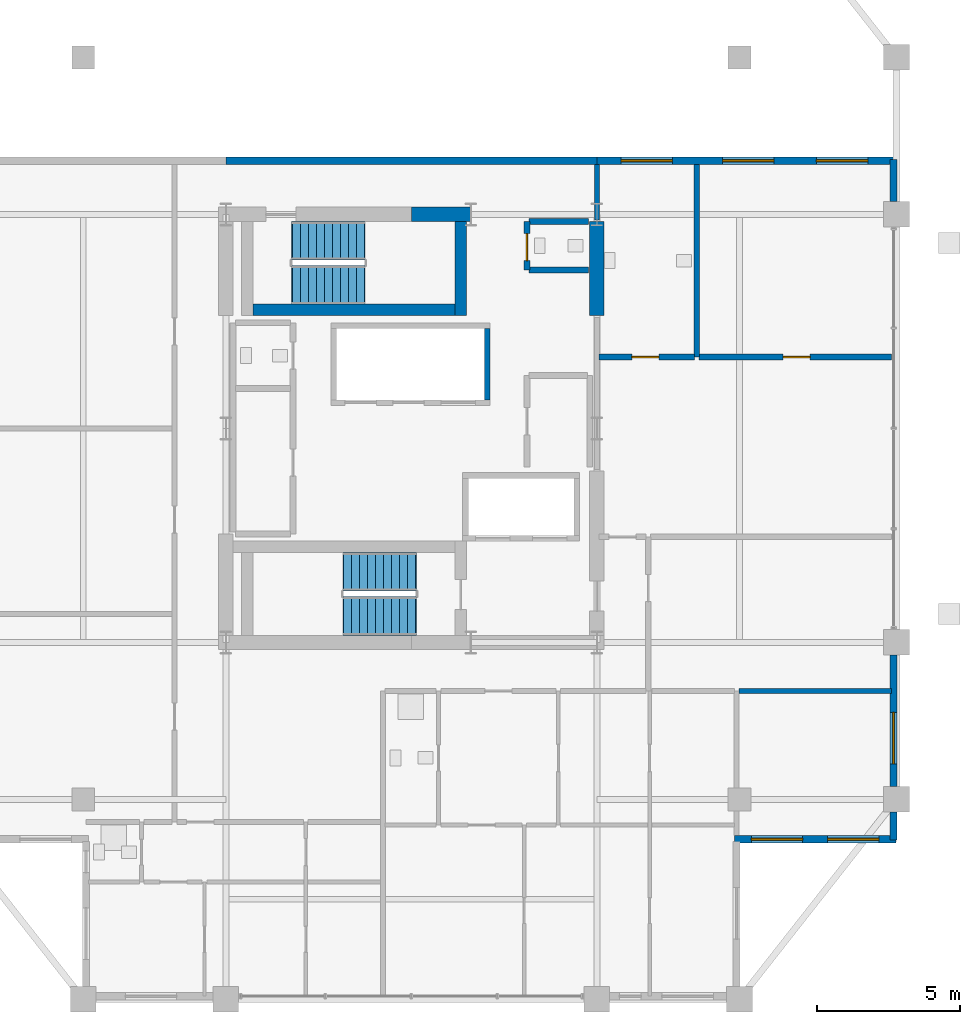
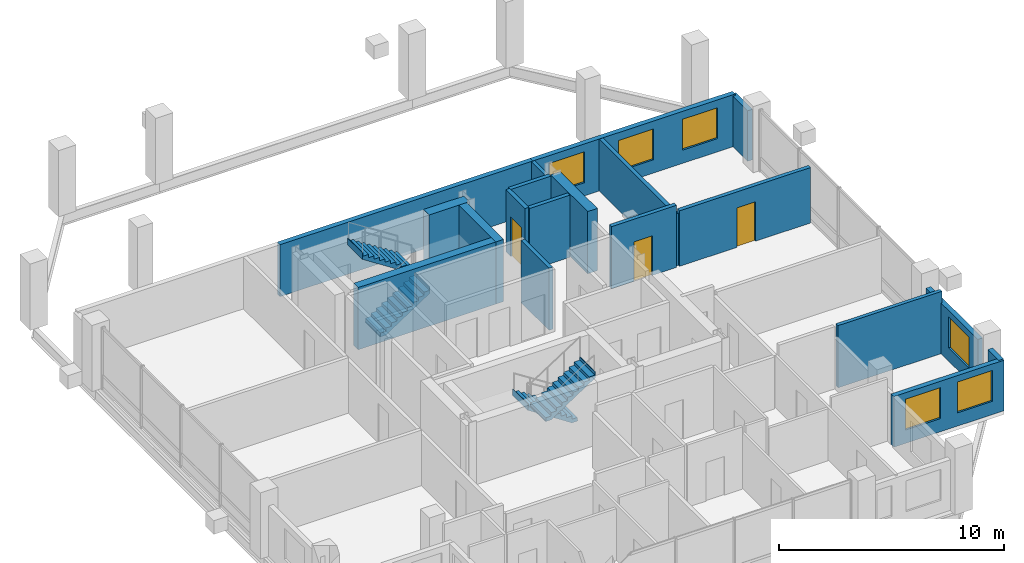
# One storey, part 14 of 16: 19 walls, 6 windows, 4 stair flights, 3 doors, 9 openings, 2 elements without a shape of their own.
"""IFC4 building model written with IfcOpenShell, lengths in metres."""

from ifc_helpers import new_model, si_unit, direction, frame, frame_2d, origin, place, context, subcontext, project, spatial, polyline, rectangle, outline, extrude, material, layer, layer_set, type_object, element, fill, aggregate, save


model = new_model("IFC4")

# Units and contexts
model_context = context("Model", 3, precision=1e-05, world=origin(), true_north=direction((0.0, 1.0)))
body_context = subcontext(model_context, "Body", "Model", "MODEL_VIEW")
ifc_project = project(units=[si_unit("LENGTHUNIT", "METRE"), si_unit("AREAUNIT", "SQUARE_METRE"), si_unit("VOLUMEUNIT", "CUBIC_METRE"), si_unit("PLANEANGLEUNIT", "RADIAN"), si_unit("MASSUNIT", "GRAM", prefix="KILO")], contexts=[model_context])

# Site, building, storey
site_placement = place(None, origin())
site = spatial("IfcSite", under=ifc_project, at=site_placement, CompositionType="ELEMENT")
building_placement = place(site_placement, origin())
building = spatial("IfcBuilding", under=site, at=building_placement, Name="Barlavira Tower and Art Museum", CompositionType="ELEMENT")
storey_placement = place(building_placement, frame((0.0, 0.0, 265.5)))
storey = spatial("IfcBuildingStorey", under=building, at=storey_placement, Name="L69", CompositionType="ELEMENT", Elevation=265.5)

# Walls
ifc_material_1 = material(Name="Concrete C60", Category="concrete")
ifc_layer_1 = layer(ifc_material_1, 0.5, Name="Concrete C60")
ifc_layer_set_1 = layer_set([ifc_layer_1], Name="Concrete C60")
wall_type_1 = type_object("IfcWallType", Name="Core Structural Shear Wall 500 Concrete C60", PredefinedType="SHEAR", material=ifc_layer_set_1)
wall_1_placement = place(storey_placement, frame((0.0, 7.5, 0.0), z_axis=(0.0, 0.0, 1.0), x_axis=(1.0, 0.0, 0.0)))
element("IfcWall", 1, at=wall_1_placement, inside=storey, type_object=wall_type_1, Name="L69 Core Shear Wall CS-EN", PredefinedType="SHEAR", context=body_context, shape_type="SweptSolid", body=[
    extrude(rectangle(XDim=2.080078125, YDim=0.5, at=frame_2d((1.0400390625, 0.0))), origin(), (0.0, 0.0, 1.0), 3.3798828125),
])
wall_2_placement = place(storey_placement, frame((6.5, 3.949951171875, 0.0), z_axis=(0.0, 0.0, 1.0), x_axis=(0.0, 1.0, 0.0)))
element("IfcWall", 2, at=wall_2_placement, inside=storey, type_object=wall_type_1, Name="L69 Core Shear Wall CS-E2", PredefinedType="SHEAR", context=body_context, shape_type="SweptSolid", body=[
    extrude(rectangle(XDim=3.300048828125, YDim=0.5, at=frame_2d((1.64990234375, 0.0))), origin(), (0.0, 0.0, 1.0), 3.3798828125),
])
ifc_material_2 = material(Name="Autoclaved aerated concrete masonry", Category="masonry")
ifc_layer_2 = layer(ifc_material_2, 0.199951171875, Name="Autoclaved aerated concrete masonry")
ifc_layer_set_2 = layer_set([ifc_layer_2], Name="Autoclaved aerated concrete masonry")
wall_type_2 = type_object("IfcWallType", Name="Fire Compartment and Shaft Wall 200", PredefinedType="SOLIDWALL", material=ifc_layer_set_2)
wall_3_placement = place(storey_placement, frame((2.659912109375, 1.0, 0.0), z_axis=(0.0, 0.0, 1.0), x_axis=(0.0, 1.0, 0.0)))
element("IfcWall", 3, at=wall_3_placement, inside=storey, type_object=wall_type_2, Name="L69 High-Rise & Service Lift East Wall", PredefinedType="SOLIDWALL", context=body_context, shape_type="SweptSolid", body=[
    extrude(rectangle(XDim=2.5, YDim=0.199951171875, at=frame_2d((1.25, 0.0))), origin(), (0.0, 0.0, 1.0), 3.3798828125),
])

# Wall, opening, door
wall_4_placement = place(storey_placement, frame((4.050048828125, 5.550048828125, 0.0), z_axis=(0.0, 0.0, 1.0), x_axis=(0.0, 1.0, 0.0)))
wall_4 = element("IfcWall", 4, at=wall_4_placement, inside=storey, type_object=wall_type_2, Name="L69 Partition Wall 11", PredefinedType="SOLIDWALL", context=body_context, shape_type="SweptSolid", body=[
    extrude(rectangle(XDim=1.699951171875, YDim=0.199951171875, at=frame_2d((0.85009765625, 0.0))), origin(), (0.0, 0.0, 1.0), 3.3798828125),
])
opening_1_placement = place(wall_4_placement, frame((0.324951171875, 0.0, 0.0)))
opening_1 = element("IfcOpeningElement", 5, at=opening_1_placement, cuts=wall_4, Name="Opening FD-60", PredefinedType="OPENING", context=body_context, shape_type="SweptSolid", body=[
    extrude(rectangle(XDim=0.949951171875, YDim=2.14990234375, at=frame_2d((0.47509765625, 1.074951171875))), frame((0.0, 0.10986328125, 0.0), z_axis=(0.0, -1.0, 0.0), x_axis=(1.0, 0.0, 0.0)), (0.0, 0.0, 1.0), 0.219970703125),
])
ifc_material_3 = material(Name="Brushed stainless steel", Category="steel")
door_type = type_object("IfcDoorType", Name="Apartment Entrance and Riser Fire Door 950x2150 FD60S", OperationType="NOTDEFINED", PredefinedType="DOOR", material=ifc_material_3)
door_1_placement = place(opening_1_placement, origin())
door_1 = element("IfcDoor", 6, at=door_1_placement, inside=storey, type_object=door_type, Name="Core Accessible Washroom Door", OperationType="SINGLE_SWING_LEFT", OverallHeight=2.14990234375, OverallWidth=0.949951171875, PredefinedType="DOOR", context=body_context, shape_type="SweptSolid", body=[
    extrude(rectangle(XDim=0.949951171875, YDim=2.14990234375, at=frame_2d((0.47509765625, 1.074951171875))), frame((0.0, 0.02490234375, 0.0), z_axis=(0.0, -1.0, 0.0), x_axis=(1.0, 0.0, 0.0)), (0.0, 0.0, 1.0), 0.050048828125),
])
fill(opening_1, door_1)

# Wall
wall_5_placement = place(storey_placement, frame((10.0, 2.5, 0.0), z_axis=(0.0, 0.0, 1.0), x_axis=(0.0, 1.0, 0.0)))
element("IfcWall", 7, at=wall_5_placement, inside=storey, type_object=wall_type_2, Name="L69 Partition Wall 18", PredefinedType="SOLIDWALL", context=body_context, shape_type="SweptSolid", body=[
    extrude(rectangle(XDim=6.75, YDim=0.199951171875, at=frame_2d((3.375, 0.0))), origin(), (0.0, 0.0, 1.0), 2.825927734375),
])

# Wall, opening, door
wall_6_placement = place(storey_placement, frame((6.580078125, 2.5, 0.0), z_axis=(0.0, 0.0, 1.0), x_axis=(1.0, 0.0, 0.0)))
wall_6 = element("IfcWall", 8, at=wall_6_placement, inside=storey, type_object=wall_type_2, Name="L69 Partition Wall 45", PredefinedType="SOLIDWALL", context=body_context, shape_type="SweptSolid", body=[
    extrude(rectangle(XDim=3.33984375, YDim=0.199951171875, at=frame_2d((1.669921875, 0.0))), origin(), (0.0, 0.0, 1.0), 3.3798828125),
])
opening_2_placement = place(wall_6_placement, frame((1.14501953125, 0.0, 0.0)))
opening_2 = element("IfcOpeningElement", 9, at=opening_2_placement, cuts=wall_6, Name="Opening FD-60", PredefinedType="OPENING", context=body_context, shape_type="SweptSolid", body=[
    extrude(rectangle(XDim=0.949951171875, YDim=2.14990234375, at=frame_2d((0.47509765625, 1.074951171875))), frame((0.0, 0.10986328125, 0.0), z_axis=(0.0, -1.0, 0.0), x_axis=(1.0, 0.0, 0.0)), (0.0, 0.0, 1.0), 0.219970703125),
])
door_2_placement = place(opening_2_placement, origin())
door_2 = element("IfcDoor", 10, at=door_2_placement, inside=storey, type_object=door_type, Name="Wind-Portal Accessible Guest WC Door", OperationType="SINGLE_SWING_RIGHT", OverallHeight=2.14990234375, OverallWidth=0.949951171875, PredefinedType="DOOR", context=body_context, shape_type="SweptSolid", body=[
    extrude(rectangle(XDim=0.949951171875, YDim=2.14990234375, at=frame_2d((0.47509765625, 1.074951171875))), frame((0.0, 0.02490234375, 0.0), z_axis=(0.0, -1.0, 0.0), x_axis=(1.0, 0.0, 0.0)), (0.0, 0.0, 1.0), 0.050048828125),
])
fill(opening_2, door_2)

wall_7_placement = place(storey_placement, frame((10.080078125, 2.5, 0.0), z_axis=(0.0, 0.0, 1.0), x_axis=(1.0, 0.0, 0.0)))
wall_7 = element("IfcWall", 11, at=wall_7_placement, inside=storey, type_object=wall_type_2, Name="L69 Partition Wall 46", PredefinedType="SOLIDWALL", context=body_context, shape_type="SweptSolid", body=[
    extrude(rectangle(XDim=6.739990234375, YDim=0.199951171875, at=frame_2d((3.3701171875, 0.0))), origin(), (0.0, 0.0, 1.0), 3.01806640625),
])
opening_3_placement = place(wall_7_placement, frame((2.945068359375, 0.0, 0.0)))
opening_3 = element("IfcOpeningElement", 12, at=opening_3_placement, cuts=wall_7, Name="Opening FD-60", PredefinedType="OPENING", context=body_context, shape_type="SweptSolid", body=[
    extrude(rectangle(XDim=0.949951171875, YDim=2.14990234375, at=frame_2d((0.47509765625, 1.074951171875))), frame((0.0, 0.10986328125, 0.0), z_axis=(0.0, -1.0, 0.0), x_axis=(1.0, 0.0, 0.0)), (0.0, 0.0, 1.0), 0.219970703125),
])
door_3_placement = place(opening_3_placement, origin())
door_3 = element("IfcDoor", 13, at=door_3_placement, inside=storey, type_object=door_type, Name="Wind-Portal Terrace Furniture Store Door", OperationType="SINGLE_SWING_LEFT", OverallHeight=2.14990234375, OverallWidth=0.949951171875, PredefinedType="DOOR", context=body_context, shape_type="SweptSolid", body=[
    extrude(rectangle(XDim=0.949951171875, YDim=2.14990234375, at=frame_2d((0.47509765625, 1.074951171875))), frame((0.0, 0.02490234375, 0.0), z_axis=(0.0, -1.0, 0.0), x_axis=(1.0, 0.0, 0.0)), (0.0, 0.0, 1.0), 0.050048828125),
])
fill(opening_3, door_3)

# Walls
for number, where, z_axis, x_axis, name in (
    (14, (4.1298828125, 5.550048828125, 0.0), (0.0, 0.0, 1.0), (1.0, 0.0, 0.0), "L69 Partition Wall 48"),
    (15, (4.1298828125, 7.25, 0.0), (0.0, 0.0, 1.0), (1.0, 0.0, 0.0), "L69 Partition Wall 49"),
):
    element("IfcWall", number, at=place(storey_placement, frame(where, z_axis=z_axis, x_axis=x_axis)), inside=storey, type_object=wall_type_2, Name=name, PredefinedType="SOLIDWALL", context=body_context, shape_type="SweptSolid", body=[
        extrude(rectangle(XDim=2.070068359375, YDim=0.199951171875, at=frame_2d((1.03515625, 0.0))), origin(), (0.0, 0.0, 1.0), 3.3798828125),
    ])
ifc_material_4 = material(Name="Gypsum acoustic stud partition", Category="gypsum")
ifc_layer_3 = layer(ifc_material_4, 0.179931640625, Name="Gypsum acoustic stud partition")
ifc_layer_set_3 = layer_set([ifc_layer_3], Name="Gypsum acoustic stud partition")
wall_type_3 = type_object("IfcWallType", Name="Inter-Tenancy Party Partition Wall 180", PredefinedType="PARTITIONING", material=ifc_layer_set_3)
wall_8_placement = place(storey_placement, frame((6.5, 7.31005859375, 0.0), z_axis=(0.0, 0.0, 1.0), x_axis=(0.0, 1.0, 0.0)))
element("IfcWall", 16, at=wall_8_placement, inside=storey, type_object=wall_type_3, Name="L69 Partition Wall 15", PredefinedType="PARTITIONING", context=body_context, shape_type="SweptSolid", body=[
    extrude(rectangle(XDim=1.93994140625, YDim=0.179931640625, at=frame_2d((0.969970703125, 0.0))), origin(), (0.0, 0.0, 1.0), 2.825927734375),
])
wall_9_placement = place(storey_placement, frame((11.47998046875, -9.199951171875, 0.0), z_axis=(0.0, 0.0, 1.0), x_axis=(1.0, 0.0, 0.0)))
element("IfcWall", 17, at=wall_9_placement, inside=storey, type_object=wall_type_3, Name="L69 Partition Wall 37", PredefinedType="PARTITIONING", context=body_context, shape_type="SweptSolid", body=[
    extrude(rectangle(XDim=5.340087890625, YDim=0.179931640625, at=frame_2d((2.669921875, 0.0))), origin(), (0.0, 0.0, 1.0), 3.3798828125),
])
ifc_material_5 = material(Name="Precast concrete C40", Category="concrete")
ifc_layer_4 = layer(ifc_material_5, 0.25, Name="Precast concrete C40")
ifc_layer_set_4 = layer_set([ifc_layer_4], Name="Precast concrete C40")
wall_type_4 = type_object("IfcWallType", Name="Notched Corner Spandrel Wall 250 Precast Concrete C40", PredefinedType="SOLIDWALL", material=ifc_layer_set_4)
wall_10_placement = place(storey_placement, frame((16.89990234375, -14.425048828125, 0.0), z_axis=(0.0, 0.0, 1.0), x_axis=(0.0, 1.0, 0.0)))
element("IfcWall", 18, at=wall_10_placement, inside=storey, type_object=wall_type_4, Name="L69 Coastal Facade Pier Wall CW4-L69-E-1", PredefinedType="SOLIDWALL", context=body_context, shape_type="SweptSolid", body=[
    extrude(rectangle(XDim=0.97998046875, YDim=0.25, at=frame_2d((0.489990234375, 0.0))), origin(), (0.0, 0.0, 1.0), 2.748046875),
])

# Wall, opening, window
wall_11_placement = place(storey_placement, frame((16.89990234375, -12.554931640625, 0.0), z_axis=(0.0, 0.0, 1.0), x_axis=(0.0, 1.0, 0.0)))
wall_11 = element("IfcWall", 19, at=wall_11_placement, inside=storey, type_object=wall_type_4, Name="L69 Coastal Facade Pier Wall CW4-L69-E-2", PredefinedType="SOLIDWALL", context=body_context, shape_type="SweptSolid", body=[
    extrude(rectangle(XDim=4.60986328125, YDim=0.25, at=frame_2d((2.304931640625, 0.0))), origin(), (0.0, 0.0, 1.0), 2.748046875),
])
opening_4_placement = place(wall_11_placement, frame((0.800048828125, 0.0, 0.719970703125)))
opening_4 = element("IfcOpeningElement", 20, at=opening_4_placement, cuts=wall_11, Name="Opening WN-01", PredefinedType="OPENING", context=body_context, shape_type="SweptSolid", body=[
    extrude(rectangle(XDim=1.800048828125, YDim=1.679931640625, at=frame_2d((0.89990234375, 0.83984375))), frame((0.0, 0.135009765625, 0.0), z_axis=(0.0, -1.0, 0.0), x_axis=(1.0, 0.0, 0.0)), (0.0, 0.0, 1.0), 0.27001953125),
])
ifc_material_6 = material(Name="Low-iron coastal laminated glass", Category="glass")
window_type = type_object("IfcWindowType", Name="Recessed Notch Corner Punch Window 1800x1680", PartitioningType="SINGLE_PANEL", PredefinedType="WINDOW", material=ifc_material_6)
window_1_placement = place(opening_4_placement, origin())
window_1 = element("IfcWindow", 21, at=window_1_placement, inside=storey, type_object=window_type, Name="L69 Punched Facade Window EWP-CW4-L69-E-2-1", OverallHeight=1.679931640625, OverallWidth=1.800048828125, PartitioningType="SINGLE_PANEL", PredefinedType="WINDOW", context=body_context, shape_type="SweptSolid", body=[
    extrude(rectangle(XDim=1.800048828125, YDim=1.679931640625, at=frame_2d((0.89990234375, 0.83984375))), frame((0.0, 0.030029296875, 0.0), z_axis=(0.0, -1.0, 0.0), x_axis=(1.0, 0.0, 0.0)), (0.0, 0.0, 1.0), 0.06005859375),
])
fill(opening_4, window_1)

# Wall
wall_12_placement = place(storey_placement, frame((16.89990234375, 7.945068359375, 0.0), z_axis=(0.0, 0.0, 1.0), x_axis=(0.0, 1.0, 0.0)))
element("IfcWall", 22, at=wall_12_placement, inside=storey, type_object=wall_type_4, Name="L69 Coastal Facade Pier Wall CW4-L69-E-4", PredefinedType="SOLIDWALL", context=body_context, shape_type="SweptSolid", body=[
    extrude(rectangle(XDim=1.47998046875, YDim=0.25, at=frame_2d((0.739990234375, 0.0))), origin(), (0.0, 0.0, 1.0), 2.748046875),
])

# Wall, openings, windows
wall_13_placement = place(storey_placement, frame((6.5, 9.3798828125, 0.0), z_axis=(0.0, 0.0, 1.0), x_axis=(1.0, 0.0, 0.0)))
wall_13 = element("IfcWall", 23, at=wall_13_placement, inside=storey, type_object=wall_type_4, Name="L69 Wind Portal East Backdrop Wall", PredefinedType="SOLIDWALL", context=body_context, shape_type="SweptSolid", body=[
    extrude(rectangle(XDim=10.39990234375, YDim=0.25, at=frame_2d((5.199951171875, 0.0))), origin(), (0.0, 0.0, 1.0), 2.825927734375),
])
opening_5_placement = place(wall_13_placement, frame((0.85009765625, 0.0, 0.719970703125)))
opening_5 = element("IfcOpeningElement", 24, at=opening_5_placement, cuts=wall_13, Name="Opening WN-01", PredefinedType="OPENING", context=body_context, shape_type="SweptSolid", body=[
    extrude(rectangle(XDim=1.800048828125, YDim=1.679931640625, at=frame_2d((0.89990234375, 0.83984375))), frame((0.0, 0.135009765625, 0.0), z_axis=(0.0, -1.0, 0.0), x_axis=(1.0, 0.0, 0.0)), (0.0, 0.0, 1.0), 0.27001953125),
])
opening_6_placement = place(wall_13_placement, frame((4.405029296875, 0.0, 0.719970703125)))
opening_6 = element("IfcOpeningElement", 25, at=opening_6_placement, cuts=wall_13, Name="Opening WN-01", PredefinedType="OPENING", context=body_context, shape_type="SweptSolid", body=[
    extrude(rectangle(XDim=1.800048828125, YDim=1.679931640625, at=frame_2d((0.89990234375, 0.83984375))), frame((0.0, 0.135009765625, 0.0), z_axis=(0.0, -1.0, 0.0), x_axis=(1.0, 0.0, 0.0)), (0.0, 0.0, 1.0), 0.27001953125),
])
opening_7_placement = place(wall_13_placement, frame((7.695068359375, 0.0, 0.719970703125)))
opening_7 = element("IfcOpeningElement", 26, at=opening_7_placement, cuts=wall_13, Name="Opening WN-01", PredefinedType="OPENING", context=body_context, shape_type="SweptSolid", body=[
    extrude(rectangle(XDim=1.800048828125, YDim=1.679931640625, at=frame_2d((0.89990234375, 0.83984375))), frame((0.0, 0.135009765625, 0.0), z_axis=(0.0, -1.0, 0.0), x_axis=(1.0, 0.0, 0.0)), (0.0, 0.0, 1.0), 0.27001953125),
])
window_2_placement = place(opening_5_placement, origin())
window_2 = element("IfcWindow", 27, at=window_2_placement, inside=storey, type_object=window_type, Name="L69 Punched Facade Window EW-PORT-L69-E-1", OverallHeight=1.679931640625, OverallWidth=1.800048828125, PartitioningType="SINGLE_PANEL", PredefinedType="WINDOW", context=body_context, shape_type="SweptSolid", body=[
    extrude(rectangle(XDim=1.800048828125, YDim=1.679931640625, at=frame_2d((0.89990234375, 0.83984375))), frame((0.0, 0.030029296875, 0.0), z_axis=(0.0, -1.0, 0.0), x_axis=(1.0, 0.0, 0.0)), (0.0, 0.0, 1.0), 0.06005859375),
])
fill(opening_5, window_2)
window_3_placement = place(opening_6_placement, origin())
window_3 = element("IfcWindow", 28, at=window_3_placement, inside=storey, type_object=window_type, Name="L69 Punched Facade Window EW-PORT-L69-E-2", OverallHeight=1.679931640625, OverallWidth=1.800048828125, PartitioningType="SINGLE_PANEL", PredefinedType="WINDOW", context=body_context, shape_type="SweptSolid", body=[
    extrude(rectangle(XDim=1.800048828125, YDim=1.679931640625, at=frame_2d((0.89990234375, 0.83984375))), frame((0.0, 0.030029296875, 0.0), z_axis=(0.0, -1.0, 0.0), x_axis=(1.0, 0.0, 0.0)), (0.0, 0.0, 1.0), 0.06005859375),
])
fill(opening_6, window_3)
window_4_placement = place(opening_7_placement, origin())
window_4 = element("IfcWindow", 29, at=window_4_placement, inside=storey, type_object=window_type, Name="L69 Punched Facade Window EW-PORT-L69-E-3", OverallHeight=1.679931640625, OverallWidth=1.800048828125, PartitioningType="SINGLE_PANEL", PredefinedType="WINDOW", context=body_context, shape_type="SweptSolid", body=[
    extrude(rectangle(XDim=1.800048828125, YDim=1.679931640625, at=frame_2d((0.89990234375, 0.83984375))), frame((0.0, 0.030029296875, 0.0), z_axis=(0.0, -1.0, 0.0), x_axis=(1.0, 0.0, 0.0)), (0.0, 0.0, 1.0), 0.06005859375),
])
fill(opening_7, window_4)

# Wall
wall_14_placement = place(storey_placement, frame((-6.5, 9.3798828125, 0.0), z_axis=(0.0, 0.0, 1.0), x_axis=(1.0, 0.0, 0.0)))
element("IfcWall", 30, at=wall_14_placement, inside=storey, type_object=wall_type_4, Name="L69 Wind Portal Gallery Overlook Wall", PredefinedType="SOLIDWALL", context=body_context, shape_type="SweptSolid", body=[
    extrude(rectangle(XDim=13.0, YDim=0.25, at=frame_2d((6.5, 0.0))), origin(), (0.0, 0.0, 1.0), 2.825927734375),
])

# Wall, openings, windows
wall_15_placement = place(storey_placement, frame((11.320068359375, -14.39990234375, 0.0), z_axis=(0.0, 0.0, 1.0), x_axis=(1.0, 0.0, 0.0)))
wall_15 = element("IfcWall", 31, at=wall_15_placement, inside=storey, type_object=wall_type_4, Name="L69 Notch Corner Wall SE2", PredefinedType="SOLIDWALL", context=body_context, shape_type="SweptSolid", body=[
    extrude(rectangle(XDim=5.659912109375, YDim=0.25, at=frame_2d((2.830078125, 0.0))), origin(), (0.0, 0.0, 1.0), 2.748046875),
])
opening_8_placement = place(wall_15_placement, frame((0.594970703125, 0.0, 0.719970703125)))
opening_8 = element("IfcOpeningElement", 32, at=opening_8_placement, cuts=wall_15, Name="Opening WN-01", PredefinedType="OPENING", context=body_context, shape_type="SweptSolid", body=[
    extrude(rectangle(XDim=1.800048828125, YDim=1.679931640625, at=frame_2d((0.89990234375, 0.83984375))), frame((0.0, 0.135009765625, 0.0), z_axis=(0.0, -1.0, 0.0), x_axis=(1.0, 0.0, 0.0)), (0.0, 0.0, 1.0), 0.27001953125),
])
opening_9_placement = place(wall_15_placement, frame((3.264892578125, 0.0, 0.719970703125)))
opening_9 = element("IfcOpeningElement", 33, at=opening_9_placement, cuts=wall_15, Name="Opening WN-01", PredefinedType="OPENING", context=body_context, shape_type="SweptSolid", body=[
    extrude(rectangle(XDim=1.800048828125, YDim=1.679931640625, at=frame_2d((0.89990234375, 0.83984375))), frame((0.0, 0.135009765625, 0.0), z_axis=(0.0, -1.0, 0.0), x_axis=(1.0, 0.0, 0.0)), (0.0, 0.0, 1.0), 0.27001953125),
])
window_5_placement = place(opening_8_placement, origin())
window_5 = element("IfcWindow", 34, at=window_5_placement, inside=storey, type_object=window_type, Name="L69 Punched Facade Window EW-NTC-L69-SE2-1", OverallHeight=1.679931640625, OverallWidth=1.800048828125, PartitioningType="SINGLE_PANEL", PredefinedType="WINDOW", context=body_context, shape_type="SweptSolid", body=[
    extrude(rectangle(XDim=1.800048828125, YDim=1.679931640625, at=frame_2d((0.89990234375, 0.83984375))), frame((0.0, 0.030029296875, 0.0), z_axis=(0.0, -1.0, 0.0), x_axis=(1.0, 0.0, 0.0)), (0.0, 0.0, 1.0), 0.06005859375),
])
fill(opening_8, window_5)
window_6_placement = place(opening_9_placement, origin())
window_6 = element("IfcWindow", 35, at=window_6_placement, inside=storey, type_object=window_type, Name="L69 Punched Facade Window EW-NTC-L69-SE2-2", OverallHeight=1.679931640625, OverallWidth=1.800048828125, PartitioningType="SINGLE_PANEL", PredefinedType="WINDOW", context=body_context, shape_type="SweptSolid", body=[
    extrude(rectangle(XDim=1.800048828125, YDim=1.679931640625, at=frame_2d((0.89990234375, 0.83984375))), frame((0.0, 0.030029296875, 0.0), z_axis=(0.0, -1.0, 0.0), x_axis=(1.0, 0.0, 0.0)), (0.0, 0.0, 1.0), 0.06005859375),
])
fill(opening_9, window_6)

# Walls
ifc_material_7 = material(Name="Concrete C55", Category="concrete")
ifc_layer_5 = layer(ifc_material_7, 0.39990234375, Name="Concrete C55")
ifc_layer_set_5 = layer_set([ifc_layer_5], Name="Concrete C55")
wall_type_5 = type_object("IfcWallType", Name="Upper Core Shear Wall 400 Concrete C55", PredefinedType="SHEAR", material=ifc_layer_set_5)
wall_16_placement = place(storey_placement, frame((-5.550048828125, 4.14990234375, 0.0), z_axis=(0.0, 0.0, 1.0), x_axis=(1.0, 0.0, 0.0)))
element("IfcWall", 36, at=wall_16_placement, inside=storey, type_object=wall_type_5, Name="L69 ST-T2 South Shaft Wall", PredefinedType="SHEAR", context=body_context, shape_type="SweptSolid", body=[
    extrude(rectangle(XDim=7.080078125, YDim=0.39990234375, at=frame_2d((3.5400390625, 0.0))), origin(), (0.0, 0.0, 1.0), 3.3798828125),
])
wall_17_placement = place(storey_placement, frame((1.72998046875, 3.949951171875, 0.0), z_axis=(0.0, 0.0, 1.0), x_axis=(0.0, 1.0, 0.0)))
element("IfcWall", 37, at=wall_17_placement, inside=storey, type_object=wall_type_5, Name="L69 ST-T2 East Half-Landing Wall", PredefinedType="SHEAR", context=body_context, shape_type="SweptSolid", body=[
    extrude(rectangle(XDim=3.300048828125, YDim=0.39990234375, at=frame_2d((1.64990234375, 0.0))), origin(), (0.0, 0.0, 1.0), 3.3798828125),
])

# Stair, stair flights
ifc_material_8 = material(Name="Concrete C45", Category="concrete")
stair_type_1 = type_object("IfcStairType", Name="Tower North Dog-Leg Exit Stair Assembly Concrete C45", PredefinedType="TWO_QUARTER_TURN_STAIR", material=ifc_material_8)
stair_1_placement = place(storey_placement, origin())
stair_1 = element("IfcStair", 38, at=stair_1_placement, inside=storey, type_object=stair_type_1, Name="L69 Tower North Exit Stair ST-T2", PredefinedType="TWO_QUARTER_TURN_STAIR")
ifc_material_9 = material(Name="Precast concrete C45", Category="concrete")
stair_flight_type_1 = type_object("IfcStairFlightType", Name="Tower North Dog-Leg Exit Stair Precast Flight 1350 Concrete C45", PredefinedType="STRAIGHT", material=ifc_material_9)
stair_flight_1_placement = place(storey_placement, frame((-4.169921875, 5.02490234375, 0.0), z_axis=(0.0, 0.0, 1.0), x_axis=(1.0, 0.0, 0.0)))
stair_flight_1 = element("IfcStairFlight", 39, at=stair_flight_1_placement, type_object=stair_flight_type_1, Name="ST-T2 flight 1", NumberOfRisers=10, NumberOfTreads=9, PredefinedType="STRAIGHT", RiserHeight=0.18, TreadLength=0.28, context=body_context, shape_type="SweptSolid", body=[
    extrude(outline(polyline([(-0.02490234375, 0.0), (0.0, 0.0), (0.0, 0.179931640625), (0.280029296875, 0.179931640625), (0.280029296875, 0.360107421875), (0.56005859375, 0.360107421875), (0.56005859375, 0.5400390625), (0.840087890625, 0.5400390625), (0.840087890625, 0.719970703125), (1.1201171875, 0.719970703125), (1.1201171875, 0.89990234375), (1.39990234375, 0.89990234375), (1.39990234375, 1.080078125), (1.679931640625, 1.080078125), (1.679931640625, 1.260009765625), (1.9599609375, 1.260009765625), (1.9599609375, 1.43994140625), (2.239990234375, 1.43994140625), (2.239990234375, 1.6201171875), (2.52001953125, 1.6201171875), (2.52001953125, 1.800048828125), (2.544921875, 1.800048828125), (2.544921875, 1.44189453125), (2.52001953125, 1.44189453125), (0.277099609375, -0.02490234375), (-0.02490234375, -0.02490234375), (-0.02490234375, 0.0)])), frame((0.0, 0.675048828125, 0.0), z_axis=(0.0, -1.0, 0.0), x_axis=(1.0, 0.0, 0.0)), (0.0, 0.0, 1.0), 1.35009765625),
])
stair_flight_2_placement = place(storey_placement, frame((-1.64990234375, 6.574951171875, 1.800048828125), z_axis=(0.0, 0.0, 1.0), x_axis=(-1.0, 0.0, 0.0)))
stair_flight_2 = element("IfcStairFlight", 40, at=stair_flight_2_placement, type_object=stair_flight_type_1, Name="ST-T2 flight 2", NumberOfRisers=10, NumberOfTreads=9, PredefinedType="STRAIGHT", RiserHeight=0.18, TreadLength=0.28, context=body_context, shape_type="SweptSolid", body=[
    extrude(outline(polyline([(-0.02490234375, 0.0), (0.0, 0.0), (0.0, 0.179931640625), (0.280029296875, 0.179931640625), (0.280029296875, 0.360107421875), (0.56005859375, 0.360107421875), (0.56005859375, 0.5400390625), (0.840087890625, 0.5400390625), (0.840087890625, 0.719970703125), (1.1201171875, 0.719970703125), (1.1201171875, 0.89990234375), (1.39990234375, 0.89990234375), (1.39990234375, 1.080078125), (1.679931640625, 1.080078125), (1.679931640625, 1.260009765625), (1.9599609375, 1.260009765625), (1.9599609375, 1.43994140625), (2.239990234375, 1.43994140625), (2.239990234375, 1.6201171875), (2.52001953125, 1.6201171875), (2.52001953125, 1.800048828125), (2.544921875, 1.800048828125), (2.544921875, 1.44189453125), (2.52001953125, 1.44189453125), (0.277099609375, -0.02490234375), (-0.02490234375, -0.02490234375), (-0.02490234375, 0.0)])), frame((0.0, 0.675048828125, 0.0), z_axis=(0.0, -1.0, 0.0), x_axis=(1.0, 0.0, 0.0)), (0.0, 0.0, 1.0), 1.35009765625),
])
aggregate(stair_1, [stair_flight_1, stair_flight_2])

stair_type_2 = type_object("IfcStairType", Name="Tower South Dog-Leg Exit Stair Assembly Concrete C45", PredefinedType="TWO_QUARTER_TURN_STAIR", material=ifc_material_8)
stair_2_placement = place(storey_placement, origin())
stair_2 = element("IfcStair", 41, at=stair_2_placement, inside=storey, type_object=stair_type_2, Name="L69 Tower South Exit Stair ST-T1", PredefinedType="TWO_QUARTER_TURN_STAIR")
stair_flight_type_2 = type_object("IfcStairFlightType", Name="Tower South Dog-Leg Exit Stair Precast Flight 1350 Concrete C45", PredefinedType="STRAIGHT", material=ifc_material_9)
stair_flight_3_placement = place(storey_placement, frame((0.14990234375, -5.02490234375, 0.0), z_axis=(0.0, 0.0, 1.0), x_axis=(-1.0, 0.0, 0.0)))
stair_flight_3 = element("IfcStairFlight", 42, at=stair_flight_3_placement, type_object=stair_flight_type_2, Name="ST-T1 flight 1", NumberOfRisers=10, NumberOfTreads=9, PredefinedType="STRAIGHT", RiserHeight=0.18, TreadLength=0.28, context=body_context, shape_type="SweptSolid", body=[
    extrude(outline(polyline([(-0.02490234375, 0.0), (0.0, 0.0), (0.0, 0.179931640625), (0.280029296875, 0.179931640625), (0.280029296875, 0.360107421875), (0.56005859375, 0.360107421875), (0.56005859375, 0.5400390625), (0.840087890625, 0.5400390625), (0.840087890625, 0.719970703125), (1.1201171875, 0.719970703125), (1.1201171875, 0.89990234375), (1.39990234375, 0.89990234375), (1.39990234375, 1.080078125), (1.679931640625, 1.080078125), (1.679931640625, 1.260009765625), (1.9599609375, 1.260009765625), (1.9599609375, 1.43994140625), (2.239990234375, 1.43994140625), (2.239990234375, 1.6201171875), (2.52001953125, 1.6201171875), (2.52001953125, 1.800048828125), (2.544921875, 1.800048828125), (2.544921875, 1.44189453125), (2.52001953125, 1.44189453125), (0.277099609375, -0.02490234375), (-0.02490234375, -0.02490234375), (-0.02490234375, 0.0)])), frame((0.0, 0.675048828125, 0.0), z_axis=(0.0, -1.0, 0.0), x_axis=(1.0, 0.0, 0.0)), (0.0, 0.0, 1.0), 1.35009765625),
])
stair_flight_4_placement = place(storey_placement, frame((-2.3701171875, -6.574951171875, 1.800048828125), z_axis=(0.0, 0.0, 1.0), x_axis=(1.0, 0.0, 0.0)))
stair_flight_4 = element("IfcStairFlight", 43, at=stair_flight_4_placement, type_object=stair_flight_type_2, Name="ST-T1 flight 2", NumberOfRisers=10, NumberOfTreads=9, PredefinedType="STRAIGHT", RiserHeight=0.18, TreadLength=0.28, context=body_context, shape_type="SweptSolid", body=[
    extrude(outline(polyline([(-0.02490234375, 0.0), (0.0, 0.0), (0.0, 0.179931640625), (0.280029296875, 0.179931640625), (0.280029296875, 0.360107421875), (0.56005859375, 0.360107421875), (0.56005859375, 0.5400390625), (0.840087890625, 0.5400390625), (0.840087890625, 0.719970703125), (1.1201171875, 0.719970703125), (1.1201171875, 0.89990234375), (1.39990234375, 0.89990234375), (1.39990234375, 1.080078125), (1.679931640625, 1.080078125), (1.679931640625, 1.260009765625), (1.9599609375, 1.260009765625), (1.9599609375, 1.43994140625), (2.239990234375, 1.43994140625), (2.239990234375, 1.6201171875), (2.52001953125, 1.6201171875), (2.52001953125, 1.800048828125), (2.544921875, 1.800048828125), (2.544921875, 1.44189453125), (2.52001953125, 1.44189453125), (0.277099609375, -0.02490234375), (-0.02490234375, -0.02490234375), (-0.02490234375, 0.0)])), frame((0.0, 0.675048828125, 0.0), z_axis=(0.0, -1.0, 0.0), x_axis=(1.0, 0.0, 0.0)), (0.0, 0.0, 1.0), 1.35009765625),
])
aggregate(stair_2, [stair_flight_3, stair_flight_4])

save(model, "model.ifc")
